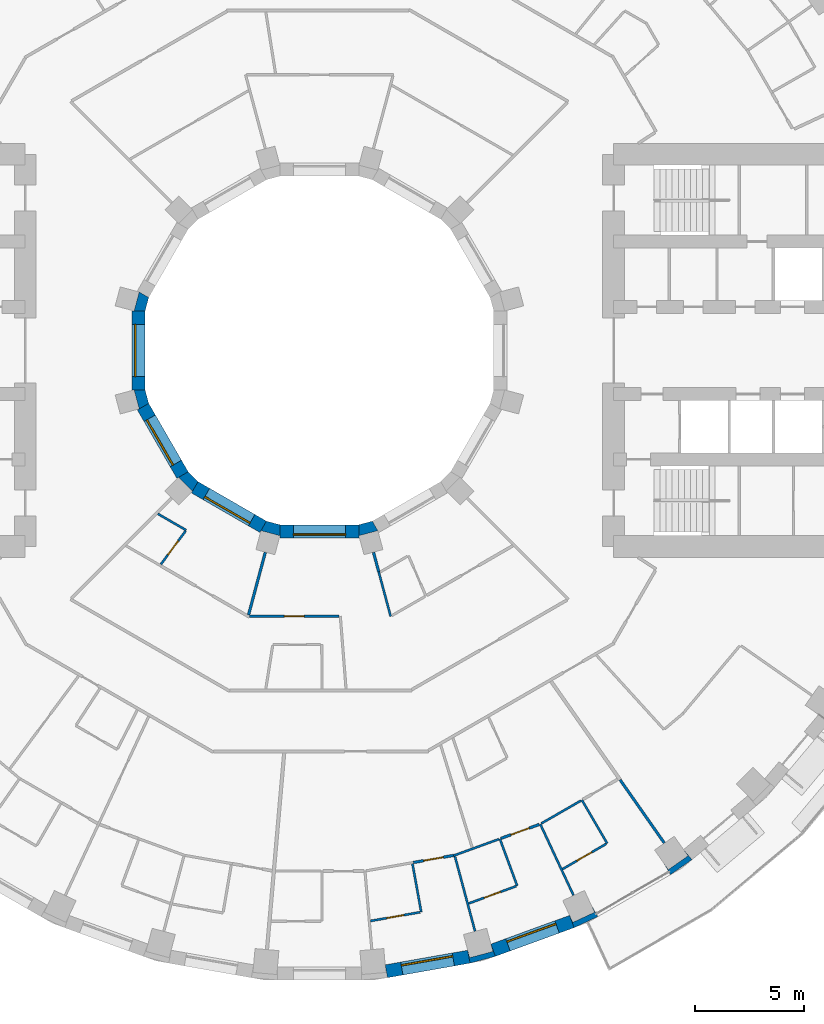
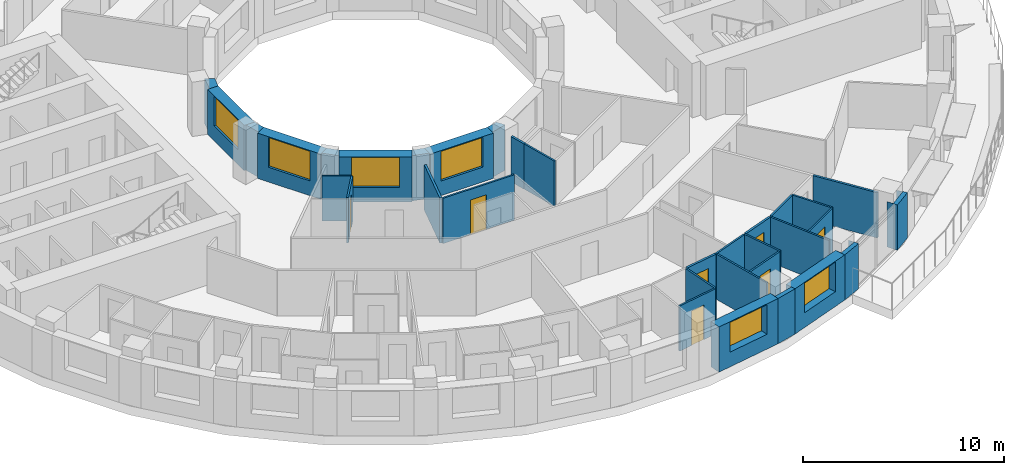
# One storey, part 7 of 15: 33 walls, 7 doors, 6 windows, 13 openings.
"""IFC4 building model written with IfcOpenShell, lengths in metres."""

from ifc_helpers import new_model, si_unit, direction, frame, frame_2d, origin, place, context, subcontext, project, spatial, polyline, rectangle, outline, extrude, material, layer, layer_set, type_object, element, fill, save


model = new_model("IFC4")

# Units and contexts
model_context = context("Model", 3, precision=1e-05, world=origin(), true_north=direction((0.0, 1.0)))
body_context = subcontext(model_context, "Body", "Model", "MODEL_VIEW")
ifc_project = project(units=[si_unit("LENGTHUNIT", "METRE"), si_unit("AREAUNIT", "SQUARE_METRE"), si_unit("VOLUMEUNIT", "CUBIC_METRE"), si_unit("PLANEANGLEUNIT", "RADIAN"), si_unit("MASSUNIT", "GRAM", prefix="KILO")], contexts=[model_context])

# Site, building, storey
site_placement = place(None, origin())
site = spatial("IfcSite", under=ifc_project, at=site_placement, CompositionType="ELEMENT")
building_placement = place(site_placement, origin())
building = spatial("IfcBuilding", under=site, at=building_placement, Name="Saqina Gate Tower", CompositionType="ELEMENT")
storey_placement = place(building_placement, frame((0.0, 0.0, 42.800048828125)))
storey = spatial("IfcBuildingStorey", under=building, at=storey_placement, Name="L11", CompositionType="ELEMENT", Elevation=42.800048828125)

# Walls
ifc_material_1 = material(Name="Brick masonry (red)", Category="masonry")
wall_type_1 = type_object("IfcWallType", Name="BRICK PIER COPING RED", PredefinedType="SOLIDWALL", material=ifc_material_1)
wall_1_placement = place(storey_placement, origin())
element("IfcWall", 1, at=wall_1_placement, inside=storey, type_object=wall_type_1, Name="Pier cap L11 column 29", PredefinedType="SOLIDWALL", context=body_context, shape_type="SweptSolid", body=[
    extrude(outline(polyline([(6.910400390625, -28.11669921875), (8.073974609375, -27.80517578125), (7.86865234375, -27.2412109375), (7.95947265625, -27.57958984375), (6.896728515625, -27.864501953125), (6.80615234375, -27.52587890625), (6.910400390625, -28.11669921875)])), origin(), (0.0, 0.0, 1.0), 2.75),
])
wall_2_placement = place(storey_placement, origin())
element("IfcWall", 2, at=wall_2_placement, inside=storey, type_object=wall_type_1, Name="Pier cap L11 column 30", PredefinedType="SOLIDWALL", context=body_context, shape_type="SweptSolid", body=[
    extrude(outline(polyline([(12.779541015625, -25.980712890625), (12.4794921875, -25.4609375), (12.627685546875, -25.778564453125), (11.630615234375, -26.243408203125), (11.482666015625, -25.92578125), (11.687744140625, -26.48974609375), (12.779541015625, -25.980712890625)])), origin(), (0.0, 0.0, 1.0), 2.75),
])
wall_3_placement = place(storey_placement, origin())
element("IfcWall", 3, at=wall_3_placement, inside=storey, type_object=wall_type_1, Name="Pier cap L11 column 31", PredefinedType="SOLIDWALL", context=body_context, shape_type="SweptSolid", body=[
    extrude(outline(polyline([(16.110107421875, -24.0576171875), (17.096923828125, -23.36669921875), (16.711181640625, -22.9072265625), (16.912109375, -23.194091796875), (16.010986328125, -23.8251953125), (15.81005859375, -23.5380859375), (16.110107421875, -24.0576171875)])), origin(), (0.0, 0.0, 1.0), 2.75),
])

# Wall, opening, window
ifc_material_2 = material(Name="Brick masonry (red)", Category="masonry")
ifc_layer_1 = layer(ifc_material_2, 0.60009765625)
ifc_layer_set_1 = layer_set([ifc_layer_1], Name="FW-BRICK-RED")
wall_type_2 = type_object("IfcWallType", Name="FW-BRICK-RED", PredefinedType="SOLIDWALL", material=ifc_layer_set_1)
wall_4_placement = place(storey_placement, frame((3.07080078125, -28.4892578125, 0.0), z_axis=(0.0, 0.0, 1.0), x_axis=(0.984800809218, 0.173687553279, 0.0)))
wall_4 = element("IfcWall", 4, at=wall_4_placement, inside=storey, type_object=wall_type_2, Name="Facade wall L11 facet 28", PredefinedType="SOLIDWALL", context=body_context, shape_type="SweptSolid", body=[
    extrude(rectangle(XDim=3.845703125, YDim=0.60009765625, at=frame_2d((1.9228515625, 0.0))), origin(), (0.0, 0.0, 1.0), 2.75),
])
opening_1_placement = place(wall_4_placement, frame((0.722900390625, 0.0, 0.89990234375)))
opening_1 = element("IfcOpeningElement", 5, at=opening_1_placement, cuts=wall_4, Name="Opening G02-W21", PredefinedType="OPENING", context=body_context, shape_type="SweptSolid", body=[
    extrude(rectangle(XDim=2.39990234375, YDim=1.800048828125, at=frame_2d((1.199951171875, 0.89990234375))), frame((0.0, 0.31201171875, 0.0), z_axis=(0.0, -1.0, 0.0), x_axis=(1.0, 0.0, 0.0)), (0.0, 0.0, 1.0), 0.6240234375),
])
ifc_material_3 = material(Name="Aluminium glazing", Category="aluminium")
window_type_1 = type_object("IfcWindowType", Name="WN-A", PartitioningType="SINGLE_PANEL", PredefinedType="WINDOW", material=ifc_material_3)
window_1_placement = place(opening_1_placement, origin())
window_1 = element("IfcWindow", 6, at=window_1_placement, inside=storey, type_object=window_type_1, Name="Window L11 facet 28", OverallHeight=1.800048828125, OverallWidth=2.39990234375, PartitioningType="SINGLE_PANEL", PredefinedType="WINDOW", context=body_context, shape_type="SweptSolid", body=[
    extrude(rectangle(XDim=2.39990234375, YDim=1.800048828125, at=frame_2d((1.199951171875, 0.89990234375))), frame((0.0, 0.179931640625, 0.0), z_axis=(0.0, -1.0, 0.0), x_axis=(1.0, 0.0, 0.0)), (0.0, 0.0, 1.0), 0.06005859375),
])
fill(opening_1, window_1)

wall_5_placement = place(storey_placement, frame((7.97119140625, -27.523193359375, 0.0), z_axis=(0.0, 0.0, 1.0), x_axis=(0.939689588564, 0.342028474173, 0.0)))
wall_5 = element("IfcWall", 7, at=wall_5_placement, inside=storey, type_object=wall_type_2, Name="Facade wall L11 facet 29", PredefinedType="SOLIDWALL", context=body_context, shape_type="SweptSolid", body=[
    extrude(rectangle(XDim=3.845947265625, YDim=0.60009765625, at=frame_2d((1.9228515625, 0.0))), origin(), (0.0, 0.0, 1.0), 2.75),
])
opening_2_placement = place(wall_5_placement, frame((0.722900390625, 0.0, 0.89990234375)))
opening_2 = element("IfcOpeningElement", 8, at=opening_2_placement, cuts=wall_5, Name="Opening G02-W22", PredefinedType="OPENING", context=body_context, shape_type="SweptSolid", body=[
    extrude(rectangle(XDim=2.39990234375, YDim=1.800048828125, at=frame_2d((1.199951171875, 0.89990234375))), frame((0.0, 0.31201171875, 0.0), z_axis=(0.0, -1.0, 0.0), x_axis=(1.0, 0.0, 0.0)), (0.0, 0.0, 1.0), 0.6240234375),
])
window_2_placement = place(opening_2_placement, origin())
window_2 = element("IfcWindow", 9, at=window_2_placement, inside=storey, type_object=window_type_1, Name="Window L11 facet 29", OverallHeight=1.800048828125, OverallWidth=2.39990234375, PartitioningType="SINGLE_PANEL", PredefinedType="WINDOW", context=body_context, shape_type="SweptSolid", body=[
    extrude(rectangle(XDim=2.39990234375, YDim=1.800048828125, at=frame_2d((1.199951171875, 0.89990234375))), frame((0.0, 0.179931640625, 0.0), z_axis=(0.0, -1.0, 0.0), x_axis=(1.0, 0.0, 0.0)), (0.0, 0.0, 1.0), 0.06005859375),
])
fill(opening_2, window_2)

ifc_material_4 = material(Name="Glazed ceramic tile", Category="ceramic")
ifc_layer_2 = layer(ifc_material_4, 0.60009765625)
ifc_layer_set_2 = layer_set([ifc_layer_2], Name="IW-TILE")
wall_type_3 = type_object("IfcWallType", Name="IW-TILE", PredefinedType="SOLIDWALL", material=ifc_layer_set_2)
wall_6_placement = place(storey_placement, frame((-8.300048828125, 1.8125, 0.0), z_axis=(0.0, 0.0, 1.0), x_axis=(0.0, -1.0, 0.0)))
wall_6 = element("IfcWall", 10, at=wall_6_placement, inside=storey, type_object=wall_type_3, Name="Well wall L11 facet 6", PredefinedType="SOLIDWALL", context=body_context, shape_type="SweptSolid", body=[
    extrude(rectangle(XDim=3.625, YDim=0.60009765625, at=frame_2d((1.8125, 0.0))), origin(), (0.0, 0.0, 1.0), 2.75),
])
opening_3_placement = place(wall_6_placement, frame((0.612548828125, 0.0, 0.89990234375)))
opening_3 = element("IfcOpeningElement", 11, at=opening_3_placement, cuts=wall_6, Name="Opening G02-W28", PredefinedType="OPENING", context=body_context, shape_type="SweptSolid", body=[
    extrude(rectangle(XDim=2.39990234375, YDim=1.800048828125, at=frame_2d((1.199951171875, 0.89990234375))), frame((0.0, 0.31201171875, 0.0), z_axis=(0.0, -1.0, 0.0), x_axis=(1.0, 0.0, 0.0)), (0.0, 0.0, 1.0), 0.6240234375),
])
ifc_material_5 = material(Name="Aluminium glazing", Category="aluminium")
window_type_2 = type_object("IfcWindowType", Name="WN-W", PartitioningType="SINGLE_PANEL", PredefinedType="WINDOW", material=ifc_material_5)
window_3_placement = place(opening_3_placement, origin())
window_3 = element("IfcWindow", 12, at=window_3_placement, inside=storey, type_object=window_type_2, Name="Well window L11 facet 6", OverallHeight=1.800048828125, OverallWidth=2.39990234375, PartitioningType="SINGLE_PANEL", PredefinedType="WINDOW", context=body_context, shape_type="SweptSolid", body=[
    extrude(rectangle(XDim=2.39990234375, YDim=1.800048828125, at=frame_2d((1.199951171875, 0.89990234375))), frame((0.0, -0.119873046875, 0.0), z_axis=(0.0, -1.0, 0.0), x_axis=(1.0, 0.0, 0.0)), (0.0, 0.0, 1.0), 0.06005859375),
])
fill(opening_3, window_3)

wall_7_placement = place(storey_placement, frame((-8.09423828125, -2.580322265625, 0.0), z_axis=(0.0, 0.0, 1.0), x_axis=(0.499992569217, -0.866029693906, 0.0)))
wall_7 = element("IfcWall", 13, at=wall_7_placement, inside=storey, type_object=wall_type_3, Name="Well wall L11 facet 7", PredefinedType="SOLIDWALL", context=body_context, shape_type="SweptSolid", body=[
    extrude(rectangle(XDim=3.625, YDim=0.60009765625, at=frame_2d((1.8125, 0.0))), origin(), (0.0, 0.0, 1.0), 2.75),
])
opening_4_placement = place(wall_7_placement, frame((0.612548828125, 0.0, 0.89990234375)))
opening_4 = element("IfcOpeningElement", 14, at=opening_4_placement, cuts=wall_7, Name="Opening G02-W29", PredefinedType="OPENING", context=body_context, shape_type="SweptSolid", body=[
    extrude(rectangle(XDim=2.39990234375, YDim=1.800048828125, at=frame_2d((1.199951171875, 0.89990234375))), frame((0.0, 0.31201171875, 0.0), z_axis=(0.0, -1.0, 0.0), x_axis=(1.0, 0.0, 0.0)), (0.0, 0.0, 1.0), 0.6240234375),
])
window_4_placement = place(opening_4_placement, origin())
window_4 = element("IfcWindow", 15, at=window_4_placement, inside=storey, type_object=window_type_2, Name="Well window L11 facet 7", OverallHeight=1.800048828125, OverallWidth=2.39990234375, PartitioningType="SINGLE_PANEL", PredefinedType="WINDOW", context=body_context, shape_type="SweptSolid", body=[
    extrude(rectangle(XDim=2.39990234375, YDim=1.800048828125, at=frame_2d((1.199951171875, 0.89990234375))), frame((0.0, -0.119873046875, 0.0), z_axis=(0.0, -1.0, 0.0), x_axis=(1.0, 0.0, 0.0)), (0.0, 0.0, 1.0), 0.06005859375),
])
fill(opening_4, window_4)

wall_8_placement = place(storey_placement, frame((-5.7197265625, -6.28173828125, 0.0), z_axis=(0.0, 0.0, 1.0), x_axis=(0.866029693906, -0.499992569217, 0.0)))
wall_8 = element("IfcWall", 16, at=wall_8_placement, inside=storey, type_object=wall_type_3, Name="Well wall L11 facet 8", PredefinedType="SOLIDWALL", context=body_context, shape_type="SweptSolid", body=[
    extrude(rectangle(XDim=3.625, YDim=0.60009765625, at=frame_2d((1.8125, 0.0))), origin(), (0.0, 0.0, 1.0), 2.75),
])
opening_5_placement = place(wall_8_placement, frame((0.612548828125, 0.0, 0.89990234375)))
opening_5 = element("IfcOpeningElement", 17, at=opening_5_placement, cuts=wall_8, Name="Opening G02-W30", PredefinedType="OPENING", context=body_context, shape_type="SweptSolid", body=[
    extrude(rectangle(XDim=2.39990234375, YDim=1.800048828125, at=frame_2d((1.199951171875, 0.89990234375))), frame((0.0, 0.31201171875, 0.0), z_axis=(0.0, -1.0, 0.0), x_axis=(1.0, 0.0, 0.0)), (0.0, 0.0, 1.0), 0.6240234375),
])
window_5_placement = place(opening_5_placement, origin())
window_5 = element("IfcWindow", 18, at=window_5_placement, inside=storey, type_object=window_type_2, Name="Well window L11 facet 8", OverallHeight=1.800048828125, OverallWidth=2.39990234375, PartitioningType="SINGLE_PANEL", PredefinedType="WINDOW", context=body_context, shape_type="SweptSolid", body=[
    extrude(rectangle(XDim=2.39990234375, YDim=1.800048828125, at=frame_2d((1.199951171875, 0.89990234375))), frame((0.0, -0.119873046875, 0.0), z_axis=(0.0, -1.0, 0.0), x_axis=(1.0, 0.0, 0.0)), (0.0, 0.0, 1.0), 0.06005859375),
])
fill(opening_5, window_5)

wall_9_placement = place(storey_placement, frame((-1.8125, -8.300048828125, 0.0), z_axis=(0.0, 0.0, 1.0), x_axis=(1.0, 0.0, 0.0)))
wall_9 = element("IfcWall", 19, at=wall_9_placement, inside=storey, type_object=wall_type_3, Name="Well wall L11 facet 9", PredefinedType="SOLIDWALL", context=body_context, shape_type="SweptSolid", body=[
    extrude(rectangle(XDim=3.625, YDim=0.60009765625, at=frame_2d((1.8125, 0.0))), origin(), (0.0, 0.0, 1.0), 2.75),
])
opening_6_placement = place(wall_9_placement, frame((0.612548828125, 0.0, 0.89990234375)))
opening_6 = element("IfcOpeningElement", 20, at=opening_6_placement, cuts=wall_9, Name="Opening G02-W31", PredefinedType="OPENING", context=body_context, shape_type="SweptSolid", body=[
    extrude(rectangle(XDim=2.39990234375, YDim=1.800048828125, at=frame_2d((1.199951171875, 0.89990234375))), frame((0.0, 0.31201171875, 0.0), z_axis=(0.0, -1.0, 0.0), x_axis=(1.0, 0.0, 0.0)), (0.0, 0.0, 1.0), 0.6240234375),
])
window_6_placement = place(opening_6_placement, origin())
window_6 = element("IfcWindow", 21, at=window_6_placement, inside=storey, type_object=window_type_2, Name="Well window L11 facet 9", OverallHeight=1.800048828125, OverallWidth=2.39990234375, PartitioningType="SINGLE_PANEL", PredefinedType="WINDOW", context=body_context, shape_type="SweptSolid", body=[
    extrude(rectangle(XDim=2.39990234375, YDim=1.800048828125, at=frame_2d((1.199951171875, 0.89990234375))), frame((0.0, -0.119873046875, 0.0), z_axis=(0.0, -1.0, 0.0), x_axis=(1.0, 0.0, 0.0)), (0.0, 0.0, 1.0), 0.06005859375),
])
fill(opening_6, window_6)

# Walls
ifc_material_6 = material(Name="Gypsum board on steel studs, 100 mm", Category="steel")
ifc_layer_3 = layer(ifc_material_6, 0.10009765625)
ifc_layer_set_3 = layer_set([ifc_layer_3], Name="PARTITION 100")
wall_type_4 = type_object("IfcWallType", Name="PARTITION 100", PredefinedType="PARTITIONING", material=ifc_layer_set_3)
wall_10_placement = place(storey_placement, frame((4.27099609375, -23.55615234375, 0.0), z_axis=(0.0, 0.0, 1.0), x_axis=(0.178283818946, -0.983979105419, 0.0)))
element("IfcWall", 22, at=wall_10_placement, inside=storey, type_object=wall_type_4, Name="PARTITION PW3-09", PredefinedType="PARTITIONING", context=body_context, shape_type="SweptSolid", body=[
    extrude(rectangle(XDim=2.25, YDim=0.10009765625, at=frame_2d((1.125, 0.0))), origin(), (0.0, 0.0, 1.0), 2.75),
])
wall_11_placement = place(storey_placement, frame((2.718994140625, -10.152099609375, 0.0), z_axis=(0.0, 0.0, 1.0), x_axis=(0.259403619233, -0.965769000501, 0.0)))
element("IfcWall", 23, at=wall_11_placement, inside=storey, type_object=wall_type_4, Name="PARTITION PW3-13", PredefinedType="PARTITIONING", context=body_context, shape_type="SweptSolid", body=[
    extrude(rectangle(XDim=2.120361328125, YDim=0.10009765625, at=frame_2d((1.06005859375, 0.0))), origin(), (0.0, 0.0, 1.0), 2.75),
])
wall_12_placement = place(storey_placement, frame((6.22119140625, -23.224853515625, 0.0), z_axis=(0.0, 0.0, 1.0), x_axis=(0.259393262225, -0.965771782313, 0.0)))
element("IfcWall", 24, at=wall_12_placement, inside=storey, type_object=wall_type_4, Name="PARTITION PW3-14", PredefinedType="PARTITIONING", context=body_context, shape_type="SweptSolid", body=[
    extrude(rectangle(XDim=3.54638671875, YDim=0.10009765625, at=frame_2d((1.773193359375, 0.0))), origin(), (0.0, 0.0, 1.0), 2.75),
])
wall_13_placement = place(storey_placement, frame((8.279052734375, -22.409912109375, 0.0), z_axis=(0.0, 0.0, 1.0), x_axis=(0.346546571046, -0.938032768136, 0.0)))
element("IfcWall", 25, at=wall_13_placement, inside=storey, type_object=wall_type_4, Name="PARTITION PW3-19", PredefinedType="PARTITIONING", context=body_context, shape_type="SweptSolid", body=[
    extrude(rectangle(XDim=2.299560546875, YDim=0.10009765625, at=frame_2d((1.14990234375, 0.0))), origin(), (0.0, 0.0, 1.0), 2.75),
])
wall_14_placement = place(storey_placement, frame((10.135009765625, -21.73388671875, 0.0), z_axis=(0.0, 0.0, 1.0), x_axis=(0.422504004964, -0.906361057079, 0.0)))
element("IfcWall", 26, at=wall_14_placement, inside=storey, type_object=wall_type_4, Name="PARTITION PW3-22", PredefinedType="PARTITIONING", context=body_context, shape_type="SweptSolid", body=[
    extrude(rectangle(XDim=3.609130859375, YDim=0.10009765625, at=frame_2d((1.8046875, 0.0))), origin(), (0.0, 0.0, 1.0), 2.75),
])
wall_15_placement = place(storey_placement, frame((12.044921875, -20.631103515625, 0.0), z_axis=(0.0, 0.0, 1.0), x_axis=(0.503937015779, -0.863740403204, 0.0)))
element("IfcWall", 27, at=wall_15_placement, inside=storey, type_object=wall_type_4, Name="PARTITION PW3-28", PredefinedType="PARTITIONING", context=body_context, shape_type="SweptSolid", body=[
    extrude(rectangle(XDim=2.30029296875, YDim=0.10009765625, at=frame_2d((1.150146484375, 0.0))), origin(), (0.0, 0.0, 1.0), 2.75),
])
wall_16_placement = place(storey_placement, frame((-7.412841796875, -7.498291015625, 0.0), z_axis=(0.0, 0.0, 1.0), x_axis=(0.866060889342, -0.499938532174, 0.0)))
element("IfcWall", 28, at=wall_16_placement, inside=storey, type_object=wall_type_4, Name="PARTITION PW3-44", PredefinedType="PARTITIONING", context=body_context, shape_type="SweptSolid", body=[
    extrude(rectangle(XDim=1.499755859375, YDim=0.10009765625, at=frame_2d((0.75, 0.0))), origin(), (0.0, 0.0, 1.0), 2.75),
])

# Wall, opening, door
wall_17_placement = place(storey_placement, frame((-3.20556640625, -12.199951171875, 0.0), z_axis=(0.0, 0.0, 1.0), x_axis=(1.0, 0.0, 0.0)))
wall_17 = element("IfcWall", 29, at=wall_17_placement, inside=storey, type_object=wall_type_4, Name="PARTITION PW3-60", PredefinedType="PARTITIONING", context=body_context, shape_type="SweptSolid", body=[
    extrude(rectangle(XDim=4.113525390625, YDim=0.10009765625, at=frame_2d((2.056640625, 0.0))), origin(), (0.0, 0.0, 1.0), 2.75),
])
opening_7_placement = place(wall_17_placement, frame((1.6005859375, 0.0, 0.0)))
opening_7 = element("IfcOpeningElement", 30, at=opening_7_placement, cuts=wall_17, Name="Opening G02-D50", PredefinedType="OPENING", context=body_context, shape_type="SweptSolid", body=[
    extrude(rectangle(XDim=0.89990234375, YDim=2.10009765625, at=frame_2d((0.449951171875, 1.050048828125))), frame((0.0, 0.06201171875, 0.0), z_axis=(0.0, -1.0, 0.0), x_axis=(1.0, 0.0, 0.0)), (0.0, 0.0, 1.0), 0.1240234375),
])
ifc_material_7 = material(Name="Timber door leaf, 900 mm", Category="wood")
door_type_1 = type_object("IfcDoorType", Name="DOOR 900 TIMBER", OperationType="SINGLE_SWING_LEFT", PredefinedType="DOOR", material=ifc_material_7)
door_1_placement = place(opening_7_placement, origin())
door_1 = element("IfcDoor", 31, at=door_1_placement, inside=storey, type_object=door_type_1, Name="DOOR G02-D50", OperationType="SINGLE_SWING_LEFT", OverallHeight=2.10009765625, OverallWidth=0.89990234375, PredefinedType="DOOR", context=body_context, shape_type="SweptSolid", body=[
    extrude(rectangle(XDim=0.89990234375, YDim=2.10009765625, at=frame_2d((0.449951171875, 1.050048828125))), frame((0.0, 0.02490234375, 0.0), z_axis=(0.0, -1.0, 0.0), x_axis=(1.0, 0.0, 0.0)), (0.0, 0.0, 1.0), 0.050048828125),
])
fill(opening_7, door_1)

wall_18_placement = place(storey_placement, frame((2.340576171875, -26.18115234375, 0.0), z_axis=(0.0, 0.0, 1.0), x_axis=(0.984795222678, 0.173719225738, 0.0)))
wall_18 = element("IfcWall", 32, at=wall_18_placement, inside=storey, type_object=wall_type_4, Name="PARTITION PW3-65", PredefinedType="PARTITIONING", context=body_context, shape_type="SweptSolid", body=[
    extrude(rectangle(XDim=2.3173828125, YDim=0.10009765625, at=frame_2d((1.15869140625, 0.0))), origin(), (0.0, 0.0, 1.0), 2.75),
])
opening_8_placement = place(wall_18_placement, frame((0.758544921875, 0.0, 0.0)))
opening_8 = element("IfcOpeningElement", 33, at=opening_8_placement, cuts=wall_18, Name="Opening G02-D55", PredefinedType="OPENING", context=body_context, shape_type="SweptSolid", body=[
    extrude(rectangle(XDim=0.800048828125, YDim=2.10009765625, at=frame_2d((0.39990234375, 1.050048828125))), frame((0.0, 0.06201171875, 0.0), z_axis=(0.0, -1.0, 0.0), x_axis=(1.0, 0.0, 0.0)), (0.0, 0.0, 1.0), 0.1240234375),
])
ifc_material_8 = material(Name="Timber door leaf, 800 mm", Category="wood")
door_type_2 = type_object("IfcDoorType", Name="DOOR 800 TIMBER", OperationType="SINGLE_SWING_LEFT", PredefinedType="DOOR", material=ifc_material_8)
door_2_placement = place(opening_8_placement, frame((0.800048828125, 0.0, 0.0), z_axis=(0.0, 0.0, 1.0), x_axis=(-1.0, 0.0, 0.0)))
door_2 = element("IfcDoor", 34, at=door_2_placement, inside=storey, type_object=door_type_2, Name="DOOR G02-D55", OperationType="SINGLE_SWING_RIGHT", OverallHeight=2.10009765625, OverallWidth=0.800048828125, PredefinedType="DOOR", context=body_context, shape_type="SweptSolid", body=[
    extrude(rectangle(XDim=0.800048828125, YDim=2.10009765625, at=frame_2d((0.39990234375, 1.050048828125))), frame((0.0, 0.02490234375, 0.0), z_axis=(0.0, -1.0, 0.0), x_axis=(1.0, 0.0, 0.0)), (0.0, 0.0, 1.0), 0.050048828125),
])
fill(opening_8, door_2)

wall_19_placement = place(storey_placement, frame((6.851318359375, -25.376708984375, 0.0), z_axis=(0.0, 0.0, 1.0), x_axis=(0.939679567759, 0.342056004093, 0.0)))
wall_19 = element("IfcWall", 35, at=wall_19_placement, inside=storey, type_object=wall_type_4, Name="PARTITION PW3-69", PredefinedType="PARTITIONING", context=body_context, shape_type="SweptSolid", body=[
    extrude(rectangle(XDim=2.317626953125, YDim=0.10009765625, at=frame_2d((1.15869140625, 0.0))), origin(), (0.0, 0.0, 1.0), 2.75),
])
opening_9_placement = place(wall_19_placement, frame((0.75830078125, 0.0, 0.0)))
opening_9 = element("IfcOpeningElement", 36, at=opening_9_placement, cuts=wall_19, Name="Opening G02-D58", PredefinedType="OPENING", context=body_context, shape_type="SweptSolid", body=[
    extrude(rectangle(XDim=0.800048828125, YDim=2.10009765625, at=frame_2d((0.39990234375, 1.050048828125))), frame((0.0, 0.06201171875, 0.0), z_axis=(0.0, -1.0, 0.0), x_axis=(1.0, 0.0, 0.0)), (0.0, 0.0, 1.0), 0.1240234375),
])
door_3_placement = place(opening_9_placement, frame((0.800048828125, 0.0, 0.0), z_axis=(0.0, 0.0, 1.0), x_axis=(-1.0, 0.0, 0.0)))
door_3 = element("IfcDoor", 37, at=door_3_placement, inside=storey, type_object=door_type_2, Name="DOOR G02-D58", OperationType="SINGLE_SWING_RIGHT", OverallHeight=2.10009765625, OverallWidth=0.800048828125, PredefinedType="DOOR", context=body_context, shape_type="SweptSolid", body=[
    extrude(rectangle(XDim=0.800048828125, YDim=2.10009765625, at=frame_2d((0.39990234375, 1.050048828125))), frame((0.0, 0.02490234375, 0.0), z_axis=(0.0, -1.0, 0.0), x_axis=(1.0, 0.0, 0.0)), (0.0, 0.0, 1.0), 0.050048828125),
])
fill(opening_9, door_3)

# Walls
wall_20_placement = place(storey_placement, frame((6.1591796875, -23.181396484375, 0.0), z_axis=(0.0, 0.0, 1.0), x_axis=(0.939696437289, 0.342009657388, 0.0)))
element("IfcWall", 38, at=wall_20_placement, inside=storey, type_object=wall_type_4, Name="PARTITION PW3-70", PredefinedType="PARTITIONING", context=body_context, shape_type="SweptSolid", body=[
    extrude(rectangle(XDim=2.205810546875, YDim=0.10009765625, at=frame_2d((1.10302734375, 0.0))), origin(), (0.0, 0.0, 1.0), 2.75),
])
wall_21_placement = place(storey_placement, frame((10.189208984375, -21.702880859375, 0.0), z_axis=(0.0, 0.0, 1.0), x_axis=(0.866587299052, 0.499025503479, 0.0)))
element("IfcWall", 39, at=wall_21_placement, inside=storey, type_object=wall_type_4, Name="PARTITION PW3-75", PredefinedType="PARTITIONING", context=body_context, shape_type="SweptSolid", body=[
    extrude(rectangle(XDim=2.093017578125, YDim=0.10009765625, at=frame_2d((1.04638671875, 0.0))), origin(), (0.0, 0.0, 1.0), 2.75),
])

# Wall, opening, door
wall_22_placement = place(storey_placement, frame((11.154296875, -23.802001953125, 0.0), z_axis=(0.0, 0.0, 1.0), x_axis=(0.865918825327, 0.500184553885, 0.0)))
wall_22 = element("IfcWall", 40, at=wall_22_placement, inside=storey, type_object=wall_type_4, Name="PARTITION PW3-76", PredefinedType="PARTITIONING", context=body_context, shape_type="SweptSolid", body=[
    extrude(rectangle(XDim=2.31689453125, YDim=0.10009765625, at=frame_2d((1.158447265625, 0.0))), origin(), (0.0, 0.0, 1.0), 2.75),
])
opening_10_placement = place(wall_22_placement, frame((0.758544921875, 0.0, 0.0)))
opening_10 = element("IfcOpeningElement", 41, at=opening_10_placement, cuts=wall_22, Name="Opening G02-D62", PredefinedType="OPENING", context=body_context, shape_type="SweptSolid", body=[
    extrude(rectangle(XDim=0.800048828125, YDim=2.10009765625, at=frame_2d((0.39990234375, 1.050048828125))), frame((0.0, 0.06201171875, 0.0), z_axis=(0.0, -1.0, 0.0), x_axis=(1.0, 0.0, 0.0)), (0.0, 0.0, 1.0), 0.1240234375),
])
door_4_placement = place(opening_10_placement, frame((0.800048828125, 0.0, 0.0), z_axis=(0.0, 0.0, 1.0), x_axis=(-1.0, 0.0, 0.0)))
door_4 = element("IfcDoor", 42, at=door_4_placement, inside=storey, type_object=door_type_2, Name="DOOR G02-D62", OperationType="SINGLE_SWING_RIGHT", OverallHeight=2.10009765625, OverallWidth=0.800048828125, PredefinedType="DOOR", context=body_context, shape_type="SweptSolid", body=[
    extrude(rectangle(XDim=0.800048828125, YDim=2.10009765625, at=frame_2d((0.39990234375, 1.050048828125))), frame((0.0, 0.02490234375, 0.0), z_axis=(0.0, -1.0, 0.0), x_axis=(1.0, 0.0, 0.0)), (0.0, 0.0, 1.0), 0.050048828125),
])
fill(opening_10, door_4)

wall_23_placement = place(storey_placement, frame((-7.27490234375, -9.814697265625, 0.0), z_axis=(0.0, 0.0, 1.0), x_axis=(0.595322808891, 0.803486622922, 0.0)))
wall_23 = element("IfcWall", 43, at=wall_23_placement, inside=storey, type_object=wall_type_4, Name="PARTITION PW3-96", PredefinedType="PARTITIONING", context=body_context, shape_type="SweptSolid", body=[
    extrude(rectangle(XDim=1.89990234375, YDim=0.10009765625, at=frame_2d((0.949951171875, 0.0))), origin(), (0.0, 0.0, 1.0), 2.75),
])
opening_11_placement = place(wall_23_placement, frame((0.543701171875, 0.0, 0.0)))
opening_11 = element("IfcOpeningElement", 44, at=opening_11_placement, cuts=wall_23, Name="Opening G02-D38", PredefinedType="OPENING", context=body_context, shape_type="SweptSolid", body=[
    extrude(rectangle(XDim=0.800048828125, YDim=2.10009765625, at=frame_2d((0.39990234375, 1.050048828125))), frame((0.0, 0.06201171875, 0.0), z_axis=(0.0, -1.0, 0.0), x_axis=(1.0, 0.0, 0.0)), (0.0, 0.0, 1.0), 0.1240234375),
])
door_5_placement = place(opening_11_placement, frame((0.800048828125, 0.0, 0.0), z_axis=(0.0, 0.0, 1.0), x_axis=(-1.0, 0.0, 0.0)))
door_5 = element("IfcDoor", 45, at=door_5_placement, inside=storey, type_object=door_type_2, Name="DOOR G02-D38", OperationType="SINGLE_SWING_RIGHT", OverallHeight=2.10009765625, OverallWidth=0.800048828125, PredefinedType="DOOR", context=body_context, shape_type="SweptSolid", body=[
    extrude(rectangle(XDim=0.800048828125, YDim=2.10009765625, at=frame_2d((0.39990234375, 1.050048828125))), frame((0.0, 0.02490234375, 0.0), z_axis=(0.0, -1.0, 0.0), x_axis=(1.0, 0.0, 0.0)), (0.0, 0.0, 1.0), 0.050048828125),
])
fill(opening_11, door_5)

# Walls
ifc_material_9 = material(Name="Gypsum board on steel studs, 125 mm, fire rated", Category="steel")
ifc_layer_4 = layer(ifc_material_9, 0.125)
ifc_layer_set_4 = layer_set([ifc_layer_4], Name="PARTITION EI 30 125")
wall_type_5 = type_object("IfcWallType", Name="PARTITION EI 30 125", PredefinedType="PARTITIONING", material=ifc_layer_set_4)
wall_24_placement = place(storey_placement, frame((2.482421875, -9.265380859375, 0.0), z_axis=(0.0, 0.0, 1.0), x_axis=(0.25915278109, -0.965836340201, 0.0)))
element("IfcWall", 46, at=wall_24_placement, inside=storey, type_object=wall_type_5, Name="PARTITION PW1-01", PredefinedType="PARTITIONING", context=body_context, shape_type="SweptSolid", body=[
    extrude(rectangle(XDim=0.91748046875, YDim=0.125, at=frame_2d((0.458740234375, 0.0))), origin(), (0.0, 0.0, 1.0), 2.75),
])
wall_25_placement = place(storey_placement, frame((13.798095703125, -19.705322265625, 0.0), z_axis=(0.0, 0.0, 1.0), x_axis=(0.573494797188, -0.819209202584, 0.0)))
element("IfcWall", 47, at=wall_25_placement, inside=storey, type_object=wall_type_5, Name="PARTITION PW1-06", PredefinedType="PARTITIONING", context=body_context, shape_type="SweptSolid", body=[
    extrude(rectangle(XDim=3.5341796875, YDim=0.125, at=frame_2d((1.76708984375, 0.0))), origin(), (0.0, 0.0, 1.0), 2.75),
])

# Wall, opening, door
wall_26_placement = place(storey_placement, frame((4.311279296875, -23.498291015625, 0.0), z_axis=(0.0, 0.0, 1.0), x_axis=(0.984797974945, 0.173703622713, 0.0)))
wall_26 = element("IfcWall", 48, at=wall_26_placement, inside=storey, type_object=wall_type_5, Name="PARTITION PW1-32", PredefinedType="PARTITIONING", context=body_context, shape_type="SweptSolid", body=[
    extrude(rectangle(XDim=1.875, YDim=0.125, at=frame_2d((0.9375, 0.0))), origin(), (0.0, 0.0, 1.0), 2.75),
])
opening_12_placement = place(wall_26_placement, frame((0.487548828125, 0.0, 0.0)))
opening_12 = element("IfcOpeningElement", 49, at=opening_12_placement, cuts=wall_26, Name="Opening G02-D56", PredefinedType="OPENING", context=body_context, shape_type="SweptSolid", body=[
    extrude(rectangle(XDim=0.89990234375, YDim=2.10009765625, at=frame_2d((0.449951171875, 1.050048828125))), frame((0.0, 0.074462890625, 0.0), z_axis=(0.0, -1.0, 0.0), x_axis=(1.0, 0.0, 0.0)), (0.0, 0.0, 1.0), 0.14892578125),
])
ifc_material_10 = material(Name="Fire door leaf EI 30, 900 mm")
door_type_3 = type_object("IfcDoorType", Name="DOOR 900 EI 30", OperationType="SINGLE_SWING_LEFT", PredefinedType="DOOR", material=ifc_material_10)
door_6_placement = place(opening_12_placement, origin())
door_6 = element("IfcDoor", 50, at=door_6_placement, inside=storey, type_object=door_type_3, Name="DOOR G02-D56", OperationType="SINGLE_SWING_RIGHT", OverallHeight=2.10009765625, OverallWidth=0.89990234375, PredefinedType="DOOR", context=body_context, shape_type="SweptSolid", body=[
    extrude(rectangle(XDim=0.89990234375, YDim=2.10009765625, at=frame_2d((0.449951171875, 1.050048828125))), frame((0.0, 0.02490234375, 0.0), z_axis=(0.0, -1.0, 0.0), x_axis=(1.0, 0.0, 0.0)), (0.0, 0.0, 1.0), 0.050048828125),
])
fill(opening_12, door_6)

wall_27_placement = place(storey_placement, frame((8.325927734375, -22.392822265625, 0.0), z_axis=(0.0, 0.0, 1.0), x_axis=(0.939656514106, 0.342119329325, 0.0)))
wall_27 = element("IfcWall", 51, at=wall_27_placement, inside=storey, type_object=wall_type_5, Name="PARTITION PW1-34", PredefinedType="PARTITIONING", context=body_context, shape_type="SweptSolid", body=[
    extrude(rectangle(XDim=1.87548828125, YDim=0.125, at=frame_2d((0.937744140625, 0.0))), origin(), (0.0, 0.0, 1.0), 2.75),
])
opening_13_placement = place(wall_27_placement, frame((0.487548828125, 0.0, 0.0)))
opening_13 = element("IfcOpeningElement", 52, at=opening_13_placement, cuts=wall_27, Name="Opening G02-D59", PredefinedType="OPENING", context=body_context, shape_type="SweptSolid", body=[
    extrude(rectangle(XDim=0.89990234375, YDim=2.10009765625, at=frame_2d((0.449951171875, 1.050048828125))), frame((0.0, 0.074462890625, 0.0), z_axis=(0.0, -1.0, 0.0), x_axis=(1.0, 0.0, 0.0)), (0.0, 0.0, 1.0), 0.14892578125),
])
door_7_placement = place(opening_13_placement, origin())
door_7 = element("IfcDoor", 53, at=door_7_placement, inside=storey, type_object=door_type_3, Name="DOOR G02-D59", OperationType="SINGLE_SWING_RIGHT", OverallHeight=2.10009765625, OverallWidth=0.89990234375, PredefinedType="DOOR", context=body_context, shape_type="SweptSolid", body=[
    extrude(rectangle(XDim=0.89990234375, YDim=2.10009765625, at=frame_2d((0.449951171875, 1.050048828125))), frame((0.0, 0.02490234375, 0.0), z_axis=(0.0, -1.0, 0.0), x_axis=(1.0, 0.0, 0.0)), (0.0, 0.0, 1.0), 0.050048828125),
])
fill(opening_13, door_7)

# Walls
wall_28_placement = place(storey_placement, frame((-3.2529296875, -12.1396484375, 0.0), z_axis=(0.0, 0.0, 1.0), x_axis=(0.258775729179, 0.965937431715, 0.0)))
element("IfcWall", 54, at=wall_28_placement, inside=storey, type_object=wall_type_5, Name="PARTITION PW1-50", PredefinedType="PARTITIONING", context=body_context, shape_type="SweptSolid", body=[
    extrude(rectangle(XDim=2.9755859375, YDim=0.125, at=frame_2d((1.48779296875, 0.0))), origin(), (0.0, 0.0, 1.0), 2.75),
])
ifc_material_11 = material(Name="Glazed ceramic tile", Category="ceramic")
wall_type_6 = type_object("IfcWallType", Name="TILE PIER COPING", PredefinedType="SOLIDWALL", material=ifc_material_11)
wall_29_placement = place(storey_placement, origin())
element("IfcWall", 55, at=wall_29_placement, inside=storey, type_object=wall_type_6, Name="Well pier cap L11 column 6", PredefinedType="SOLIDWALL", context=body_context, shape_type="SweptSolid", body=[
    extrude(outline(polyline([(-8.502685546875, 1.8125), (-8.0, 1.8125), (-7.83447265625, 2.430419921875), (-8.27001953125, 2.681884765625), (-8.502685546875, 1.8125)])), origin(), (0.0, 0.0, 1.0), 2.75),
])
wall_30_placement = place(storey_placement, origin())
element("IfcWall", 56, at=wall_30_placement, inside=storey, type_object=wall_type_6, Name="Well pier cap L11 column 7", PredefinedType="SOLIDWALL", context=body_context, shape_type="SweptSolid", body=[
    extrude(outline(polyline([(-8.27001953125, -2.681884765625), (-7.83447265625, -2.430419921875), (-8.0, -1.8125), (-8.502685546875, -1.8125), (-8.27001953125, -2.681884765625)])), origin(), (0.0, 0.0, 1.0), 2.75),
])
wall_31_placement = place(storey_placement, origin())
element("IfcWall", 57, at=wall_31_placement, inside=storey, type_object=wall_type_6, Name="Well pier cap L11 column 8", PredefinedType="SOLIDWALL", context=body_context, shape_type="SweptSolid", body=[
    extrude(outline(polyline([(-6.45751953125, -5.821044921875), (-5.821044921875, -6.45751953125), (-5.569580078125, -6.02197265625), (-6.02197265625, -5.569580078125), (-6.45751953125, -5.821044921875)])), origin(), (0.0, 0.0, 1.0), 2.75),
])
wall_32_placement = place(storey_placement, origin())
element("IfcWall", 58, at=wall_32_placement, inside=storey, type_object=wall_type_6, Name="Well pier cap L11 column 9", PredefinedType="SOLIDWALL", context=body_context, shape_type="SweptSolid", body=[
    extrude(outline(polyline([(-1.8125, -8.502685546875), (-1.8125, -8.0), (-2.430419921875, -7.83447265625), (-2.681884765625, -8.27001953125), (-1.8125, -8.502685546875)])), origin(), (0.0, 0.0, 1.0), 2.75),
])
wall_33_placement = place(storey_placement, origin())
element("IfcWall", 59, at=wall_33_placement, inside=storey, type_object=wall_type_6, Name="Well pier cap L11 column 10", PredefinedType="SOLIDWALL", context=body_context, shape_type="SweptSolid", body=[
    extrude(outline(polyline([(2.681884765625, -8.27001953125), (2.430419921875, -7.83447265625), (1.8125, -8.0), (1.8125, -8.502685546875), (2.681884765625, -8.27001953125)])), origin(), (0.0, 0.0, 1.0), 2.75),
])

save(model, "model.ifc")
